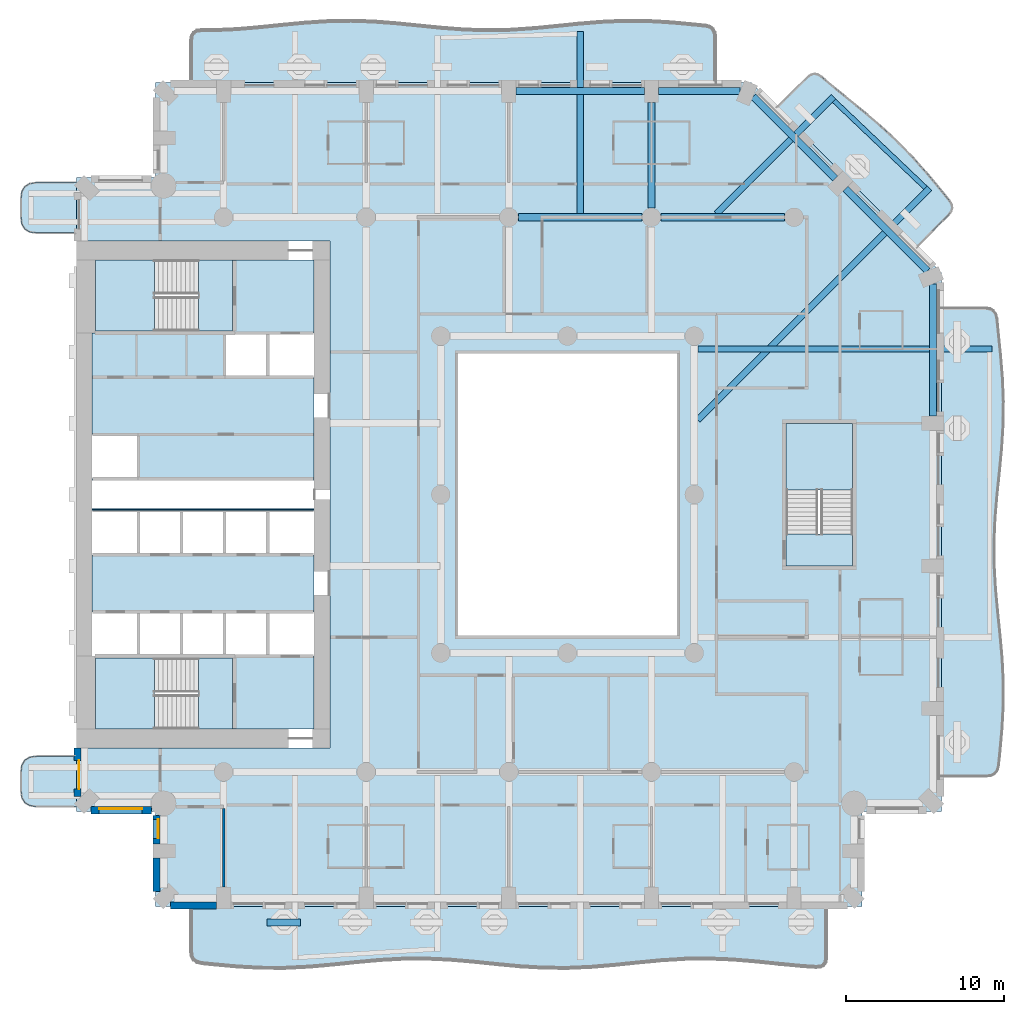
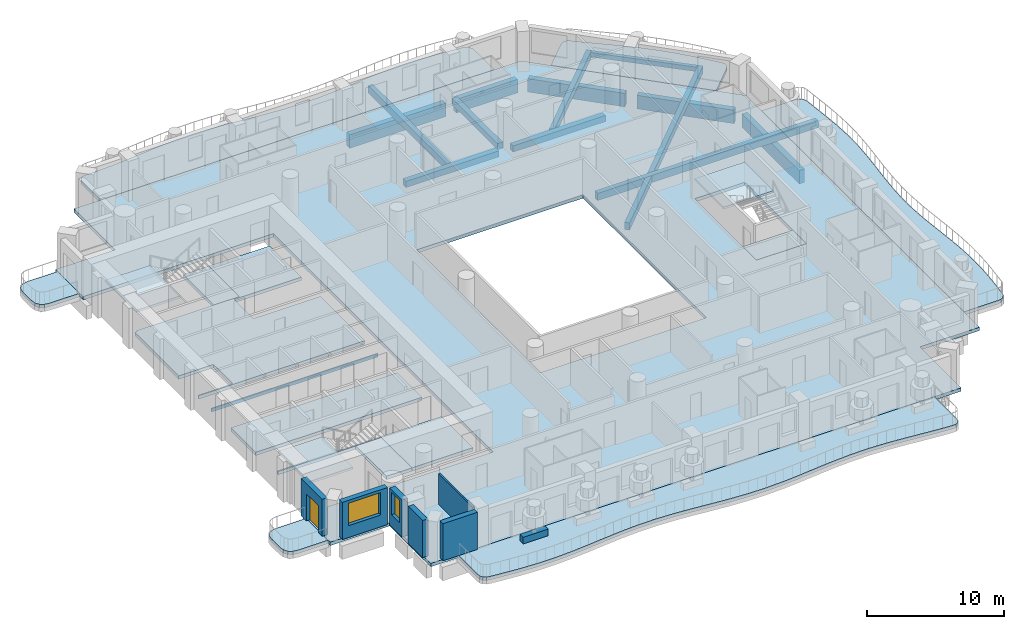
# One storey, part 2 of 19: 17 slabs, 13 beams, 7 walls, 2 windows, 1 door, 3 openings, 3 elements without a shape of their own.
"""IFC4 building model written with IfcOpenShell, lengths in metres."""

from ifc_helpers import new_model, si_unit, direction, frame, frame_2d, origin, origin_2d, place, context, subcontext, project, spatial, polyline, rectangle, outline, extrude, material, layer, layer_set, material_profile, profile_set, type_object, element, fill, aggregate, save


model = new_model("IFC4")

# Units and contexts
model_context = context("Model", 3, precision=1e-05, world=origin(), true_north=direction((0.0, 1.0)))
body_context = subcontext(model_context, "Body", "Model", "MODEL_VIEW")
ifc_project = project(units=[si_unit("LENGTHUNIT", "METRE"), si_unit("AREAUNIT", "SQUARE_METRE"), si_unit("VOLUMEUNIT", "CUBIC_METRE"), si_unit("PLANEANGLEUNIT", "RADIAN"), si_unit("MASSUNIT", "GRAM", prefix="KILO")], contexts=[model_context])

# Site, building, storey
site_placement = place(None, origin())
site = spatial("IfcSite", under=ifc_project, at=site_placement, CompositionType="ELEMENT")
building_placement = place(site_placement, origin())
building = spatial("IfcBuilding", under=site, at=building_placement, Name="Cypress Arch Tower", CompositionType="ELEMENT")
storey_placement = place(building_placement, frame((0.0, 0.0, 69.89990234375)))
storey = spatial("IfcBuildingStorey", under=building, at=storey_placement, Name="L11", CompositionType="ELEMENT", Elevation=69.89990234375)

# Beams
ifc_material_1 = material(Name="Concrete C50/60", Category="concrete")
ifc_material_profile_1 = material_profile(ifc_material_1, rectangle(XDim=0.300048828125, YDim=0.39990234375, at=origin_2d()), Name="RC 300x400")
ifc_profile_set_1 = profile_set([ifc_material_profile_1], Name="Concrete C50/60")
beam_type_1 = type_object("IfcBeamType", Name="Balcony edge beam RC 300x400 Concrete C50/60", PredefinedType="BEAM", material=ifc_profile_set_1)
beam_1_placement = place(storey_placement, frame((23.591064453125, 19.36181640625, -0.5), z_axis=(-0.724231246865, 0.689557177517, 0.0), x_axis=(-0.689557177517, -0.724231246865, 0.0)))
element("IfcBeam", 1, at=beam_1_placement, inside=storey, type_object=beam_type_1, Name="Balcony edge beam L11 A07", PredefinedType="BEAM", context=body_context, shape_type="SweptSolid", body=[
    extrude(rectangle(XDim=0.300048828125, YDim=0.39990234375, at=origin_2d()), origin(), (0.0, 0.0, 1.0), 7.96337890625),
])
ifc_material_2 = material(Name="Concrete C50/60", Category="concrete")
ifc_material_profile_2 = material_profile(ifc_material_2, rectangle(XDim=0.39990234375, YDim=0.64990234375, at=origin_2d()), Name="RC 400x650")
ifc_profile_set_2 = profile_set([ifc_material_profile_2], Name="Concrete C50/60")
beam_type_2 = type_object("IfcBeamType", Name="Cantilever beam RC 400x650 Concrete C50/60", PredefinedType="BEAM", material=ifc_profile_set_2)
beam_2_placement = place(storey_placement, frame((9.22509765625, 9.18798828125, -0.625), z_axis=(1.0, 0.0, 0.0), x_axis=(0.0, 1.0, 0.0)))
element("IfcBeam", 2, at=beam_2_placement, inside=storey, type_object=beam_type_2, Name="Cantilever beam L11 A06 2", PredefinedType="BEAM", context=body_context, shape_type="SweptSolid", body=[
    extrude(rectangle(XDim=0.39990234375, YDim=0.64990234375, at=origin_2d()), origin(), (0.0, 0.0, 1.0), 18.557373046875),
])
beam_3_placement = place(storey_placement, frame((9.22509765625, 4.712890625, -0.625), z_axis=(0.707106781187, 0.707106781187, 0.0), x_axis=(-0.707106781187, 0.707106781187, 0.0)))
element("IfcBeam", 3, at=beam_3_placement, inside=storey, type_object=beam_type_2, Name="Cantilever beam L11 A07 1", PredefinedType="BEAM", context=body_context, shape_type="SweptSolid", body=[
    extrude(rectangle(XDim=0.39990234375, YDim=0.64990234375, at=origin_2d()), origin(), (0.0, 0.0, 1.0), 20.666748046875),
])
beam_4_placement = place(storey_placement, frame((10.412841796875, 17.72509765625, -0.625), z_axis=(0.707118484087, 0.707095078093, 0.0), x_axis=(-0.707095078093, 0.707118484087, 0.0)))
element("IfcBeam", 4, at=beam_4_placement, inside=storey, type_object=beam_type_2, Name="Cantilever beam L11 A07 2", PredefinedType="BEAM", context=body_context, shape_type="SweptSolid", body=[
    extrude(rectangle(XDim=0.39990234375, YDim=0.64990234375, at=origin_2d()), origin(), (0.0, 0.0, 1.0), 10.4306640625),
])
beam_5_placement = place(storey_placement, frame((1.800048828125, 17.72509765625, -0.625), z_axis=(0.0, 1.0, 0.0), x_axis=(-1.0, 0.0, 0.0)))
element("IfcBeam", 5, at=beam_5_placement, inside=storey, type_object=beam_type_2, Name="Cantilever beam L11 A08 1", PredefinedType="BEAM", context=body_context, shape_type="SweptSolid", body=[
    extrude(rectangle(XDim=0.39990234375, YDim=0.64990234375, at=origin_2d()), origin(), (0.0, 0.0, 1.0), 11.495849609375),
])
ifc_material_3 = material(Name="Concrete C50/60", Category="concrete")
ifc_material_profile_3 = material_profile(ifc_material_3, rectangle(XDim=0.449951171875, YDim=0.550048828125, at=origin_2d()), Name="RC 450x550")
ifc_profile_set_3 = profile_set([ifc_material_profile_3], Name="Concrete C50/60")
beam_type_3 = type_object("IfcBeamType", Name="Floor beam RC 450x550 Concrete C50/60", PredefinedType="BEAM", material=ifc_profile_set_3)
for number, where, z_axis, x_axis, name in (
    (6, (-2.10009765625, 17.5, -0.574951171875), (1.0, 0.0, 0.0), (0.0, 1.0, 0.0), "Floor beam L11 FB017"),
    (7, (6.89990234375, 17.5, -0.574951171875), (1.0, 0.0, 0.0), (0.0, 1.0, 0.0), "Floor beam L11 FB018"),
):
    element("IfcBeam", number, at=place(storey_placement, frame(where, z_axis=z_axis, x_axis=x_axis)), inside=storey, type_object=beam_type_3, Name=name, PredefinedType="BEAM", context=body_context, shape_type="SweptSolid", body=[
        extrude(rectangle(XDim=0.449951171875, YDim=0.550048828125, at=origin_2d()), origin(), (0.0, 0.0, 1.0), 7.800048828125),
    ])
beam_6_placement = place(storey_placement, frame((6.300048828125, 18.10009765625, -0.574951171875), z_axis=(0.0, 1.0, 0.0), x_axis=(-1.0, 0.0, 0.0)))
element("IfcBeam", 8, at=beam_6_placement, inside=storey, type_object=beam_type_3, Name="Floor beam L11 FB033", PredefinedType="BEAM", context=body_context, shape_type="SweptSolid", body=[
    extrude(rectangle(XDim=0.449951171875, YDim=0.550048828125, at=origin_2d()), origin(), (0.0, 0.0, 1.0), 6.64990234375),
])
ifc_material_4 = material(Name="Concrete C50/60", Category="concrete")
ifc_material_profile_4 = material_profile(ifc_material_4, rectangle(XDim=0.449951171875, YDim=1.199951171875, at=origin_2d()), Name="RC 450x1200")
ifc_profile_set_4 = profile_set([ifc_material_profile_4], Name="Concrete C50/60")
beam_type_4 = type_object("IfcBeamType", Name="Spandrel beam RC 450x1200 Concrete C50/60", PredefinedType="SPANDREL", material=ifc_profile_set_4)
beam_7_placement = place(storey_placement, frame((24.074951171875, 4.949951171875, -1.5498046875), z_axis=(0.0, 1.0, 0.0), x_axis=(-1.0, 0.0, 0.0)))
element("IfcBeam", 9, at=beam_7_placement, inside=storey, type_object=beam_type_4, Name="Spandrel beam L11 BA06-3", PredefinedType="SPANDREL", context=body_context, shape_type="SweptSolid", body=[
    extrude(rectangle(XDim=0.449951171875, YDim=1.199951171875, at=origin_2d()), origin(), (0.0, 0.0, 1.0), 8.345458984375),
])
for number, where, z_axis, x_axis, name in (
    (10, (23.73046875, 14.126953125, -1.5498046875), (-0.707106781187, 0.707106781187, 0.0), (-0.707106781187, -0.707106781187, 0.0), "Spandrel beam L11 BA07-0"),
    (11, (17.91064453125, 19.947021484375, -1.5498046875), (-0.707106781187, 0.707106781187, 0.0), (-0.707106781187, -0.707106781187, 0.0), "Spandrel beam L11 BA07-1"),
):
    element("IfcBeam", number, at=place(storey_placement, frame(where, z_axis=z_axis, x_axis=x_axis)), inside=storey, type_object=beam_type_4, Name=name, PredefinedType="SPANDREL", context=body_context, shape_type="SweptSolid", body=[
        extrude(rectangle(XDim=0.449951171875, YDim=1.199951171875, at=origin_2d()), origin(), (0.0, 0.0, 1.0), 7.330810546875),
    ])
beam_8_placement = place(storey_placement, frame((11.8955078125, 25.47509765625, -1.5498046875), z_axis=(-1.0, 0.0, 0.0), x_axis=(0.0, -1.0, 0.0)))
element("IfcBeam", 12, at=beam_8_placement, inside=storey, type_object=beam_type_4, Name="Spandrel beam L11 BA08-0", PredefinedType="SPANDREL", context=body_context, shape_type="SweptSolid", body=[
    extrude(rectangle(XDim=0.449951171875, YDim=1.199951171875, at=origin_2d()), origin(), (0.0, 0.0, 1.0), 5.1455078125),
])
beam_9_placement = place(storey_placement, frame((5.85009765625, 25.47509765625, -1.5498046875), z_axis=(-1.0, 0.0, 0.0), x_axis=(0.0, -1.0, 0.0)))
element("IfcBeam", 13, at=beam_9_placement, inside=storey, type_object=beam_type_4, Name="Spandrel beam L11 BA08-1", PredefinedType="SPANDREL", context=body_context, shape_type="SweptSolid", body=[
    extrude(rectangle(XDim=0.449951171875, YDim=1.199951171875, at=origin_2d()), origin(), (0.0, 0.0, 1.0), 8.10009765625),
])

# Slabs
ifc_material_5 = material(Name="Concrete C40/50", Category="concrete")
ifc_layer_1 = layer(ifc_material_5, 0.300048828125)
ifc_layer_set_1 = layer_set([ifc_layer_1], Name="Balcony slab BS300")
slab_type_1 = type_object("IfcSlabType", Name="Balcony slab BS300", PredefinedType="USERDEFINED", material=ifc_layer_set_1)
slab_1_placement = place(storey_placement, frame((0.0, 0.0, -0.2998046875)))
element("IfcSlab", 14, at=slab_1_placement, inside=storey, type_object=slab_type_1, Name="Balcony slab L11-A00W0", ObjectType="BALCONY SLAB", PredefinedType="USERDEFINED", context=body_context, shape_type="SweptSolid", body=[
    extrude(outline(polyline([(-30.0, 19.699951171875), (-32.5, 19.699951171875), (-32.9375, 19.637451171875), (-33.25, 19.449951171875), (-33.4375, 19.137451171875), (-33.5, 18.699951171875), (-33.5, 17.5), (-33.4375, 17.0625), (-33.25, 16.75), (-32.9375, 16.5625), (-32.5, 16.5), (-30.0, 16.5), (-30.0, 19.699951171875)])), origin(), (0.0, 0.0, 1.0), 0.2998046875),
])
slab_2_placement = place(storey_placement, frame((0.0, 0.0, -0.2998046875)))
element("IfcSlab", 15, at=slab_2_placement, inside=storey, type_object=slab_type_1, Name="Balcony slab L11-A00W1", ObjectType="BALCONY SLAB", PredefinedType="USERDEFINED", context=body_context, shape_type="SweptSolid", body=[
    extrude(outline(polyline([(-30.0, -16.5), (-32.5, -16.5), (-32.9375, -16.5625), (-33.25, -16.75), (-33.4375, -17.0625), (-33.5, -17.5), (-33.5, -18.699951171875), (-33.4375, -19.137451171875), (-33.25, -19.449951171875), (-32.9375, -19.637451171875), (-32.5, -19.699951171875), (-30.0, -19.699951171875), (-30.0, -16.5)])), origin(), (0.0, 0.0, 1.0), 0.2998046875),
])
slab_3_placement = place(storey_placement, frame((0.0, 0.0, -0.2998046875)))
element("IfcSlab", 16, at=slab_3_placement, inside=storey, type_object=slab_type_1, Name="Balcony slab L11-A03", ObjectType="BALCONY SLAB", PredefinedType="USERDEFINED", context=body_context, shape_type="SweptSolid", body=[
    extrude(outline(polyline([(-22.75, -26.0), (-22.75, -28.850341796875), (-22.708251953125, -29.148681640625), (-22.5830078125, -29.37158203125), (-22.3740234375, -29.519287109375), (-22.081787109375, -29.591552734375), (-21.264892578125, -29.676025390625), (-19.779541015625, -29.809814453125), (-18.29443359375, -29.888427734375), (-16.809326171875, -29.891357421875), (-15.323974609375, -29.817626953125), (-13.8388671875, -29.6865234375), (-12.353759765625, -29.532958984375), (-10.868408203125, -29.396728515625), (-9.38330078125, -29.314208984375), (-7.898193359375, -29.306640625), (-6.412841796875, -29.376220703125), (-4.927734375, -29.504638671875), (-3.442626953125, -29.657958984375), (-1.95751953125, -29.796142578125), (-0.47216796875, -29.8828125), (1.012939453125, -29.895263671875), (2.498046875, -29.829833984375), (3.9833984375, -29.704345703125), (5.468505859375, -29.55126953125), (6.95361328125, -29.410888671875), (8.43896484375, -29.3203125), (9.924072265625, -29.30322265625), (11.4091796875, -29.3642578125), (12.89453125, -29.487060546875), (14.379638671875, -29.6396484375), (15.86474609375, -29.78173828125), (16.681640625, -29.833740234375), (16.97412109375, -29.810302734375), (17.182861328125, -29.697998046875), (17.308349609375, -29.496826171875), (17.35009765625, -29.20654296875), (17.35009765625, -26.0), (-22.75, -26.0)])), origin(), (0.0, 0.0, 1.0), 0.2998046875),
])
slab_4_placement = place(storey_placement, frame((0.0, 0.0, -0.2998046875)))
element("IfcSlab", 17, at=slab_4_placement, inside=storey, type_object=slab_type_1, Name="Balcony slab L11-A06", ObjectType="BALCONY SLAB", PredefinedType="USERDEFINED", context=body_context, shape_type="SweptSolid", body=[
    extrude(outline(polyline([(24.60009765625, -17.75), (27.455078125, -17.75), (27.751220703125, -17.70849609375), (27.97265625, -17.583984375), (28.119384765625, -17.376708984375), (28.191162109375, -17.086181640625), (28.275146484375, -16.27490234375), (28.408447265625, -14.800048828125), (28.487548828125, -13.324951171875), (28.492431640625, -11.85009765625), (28.421142578125, -10.375), (28.292724609375, -8.89990234375), (28.14013671875, -7.425048828125), (28.003173828125, -5.949951171875), (27.917236328125, -4.47509765625), (27.904541015625, -3.0), (27.968505859375, -1.52490234375), (28.092529296875, -0.050048828125), (28.244384765625, 1.425048828125), (28.384765625, 2.89990234375), (28.47705078125, 4.375), (28.497802734375, 5.85009765625), (28.441162109375, 7.324951171875), (28.322021484375, 8.800048828125), (28.171142578125, 10.27490234375), (28.092529296875, 11.086181640625), (28.0224609375, 11.376708984375), (27.87744140625, 11.583984375), (27.65673828125, 11.70849609375), (27.361083984375, 11.75), (24.60009765625, 11.75), (24.60009765625, -17.75)])), origin(), (0.0, 0.0, 1.0), 0.2998046875),
])
slab_5_placement = place(storey_placement, frame((0.0, 0.0, -0.2998046875)))
element("IfcSlab", 18, at=slab_5_placement, inside=storey, type_object=slab_type_1, Name="Balcony slab L11-A07", ObjectType="BALCONY SLAB", PredefinedType="USERDEFINED", context=body_context, shape_type="SweptSolid", body=[
    extrude(outline(polyline([(23.009033203125, 15.591064453125), (25.056396484375, 17.638427734375), (25.2255859375, 17.86279296875), (25.2900390625, 18.092529296875), (25.249755859375, 18.32763671875), (25.1044921875, 18.568359375), (24.62158203125, 19.1630859375), (23.732666015625, 20.233642578125), (22.81201171875, 21.272705078125), (21.846435546875, 22.266845703125), (20.83251953125, 23.212158203125), (19.77783203125, 24.1171875), (18.699951171875, 24.998779296875), (17.62109375, 25.87939453125), (17.039794921875, 26.3759765625), (16.803955078125, 26.52587890625), (16.572509765625, 26.570068359375), (16.344970703125, 26.5078125), (16.121826171875, 26.33984375), (14.19091796875, 24.408935546875), (23.009033203125, 15.591064453125)])), origin(), (0.0, 0.0, 1.0), 0.2998046875),
])
slab_6_placement = place(storey_placement, frame((0.0, 0.0, -0.2998046875)))
element("IfcSlab", 19, at=slab_6_placement, inside=storey, type_object=slab_type_1, Name="Balcony slab L11-A08", ObjectType="BALCONY SLAB", PredefinedType="USERDEFINED", context=body_context, shape_type="SweptSolid", body=[
    extrude(outline(polyline([(10.35009765625, 26.0), (10.35009765625, 28.871337890625), (10.3095703125, 29.160400390625), (10.18798828125, 29.37646484375), (9.98583984375, 29.519287109375), (9.702392578125, 29.58935546875), (8.910888671875, 29.67138671875), (7.4716796875, 29.802978515625), (6.03271484375, 29.88427734375), (4.593505859375, 29.895263671875), (3.154296875, 29.83349609375), (1.71533203125, 29.7138671875), (0.276123046875, 29.566162109375), (-1.1630859375, 29.4267578125), (-2.602294921875, 29.330322265625), (-4.041259765625, 29.30029296875), (-5.48046875, 29.344482421875), (-6.919677734375, 29.45166015625), (-8.358642578125, 29.595703125), (-9.7978515625, 29.74072265625), (-11.237060546875, 29.850830078125), (-12.676025390625, 29.899169921875), (-14.115234375, 29.873291015625), (-15.554443359375, 29.7802734375), (-16.993408203125, 29.642333984375), (-18.4326171875, 29.494140625), (-19.871826171875, 29.3720703125), (-21.310791015625, 29.306396484375), (-22.102294921875, 29.31005859375), (-22.3857421875, 29.27099609375), (-22.588134765625, 29.150390625), (-22.70947265625, 28.94873046875), (-22.75, 28.66552734375), (-22.75, 26.0), (10.35009765625, 26.0)])), origin(), (0.0, 0.0, 1.0), 0.2998046875),
])
ifc_material_6 = material(Name="Concrete C40/50", Category="concrete")
ifc_layer_2 = layer(ifc_material_6, 0.300048828125)
ifc_layer_set_2 = layer_set([ifc_layer_2], Name="Core floor CF300")
slab_type_2 = type_object("IfcSlabType", Name="Core floor CF300", PredefinedType="FLOOR", material=ifc_layer_set_2)
slab_7_placement = place(storey_placement, frame((0.0, 0.0, -0.2998046875)))
element("IfcSlab", 20, at=slab_7_placement, inside=storey, type_object=slab_type_2, Name="Core floor", PredefinedType="FLOOR", context=body_context, shape_type="SweptSolid", body=[
    extrude(outline(polyline([(-20.125, -14.800048828125), (-15.0, -14.800048828125), (-15.0, -10.199951171875), (-17.919921875, -10.199951171875), (-20.639892578125, -10.199951171875), (-23.360107421875, -10.199951171875), (-26.080078125, -10.199951171875), (-28.800048828125, -10.199951171875), (-28.800048828125, -10.324951171875), (-22.27490234375, -10.324951171875), (-20.125, -10.324951171875), (-20.125, -14.800048828125)])), origin(), (0.0, 0.0, 1.0), 0.2998046875),
])
slab_8_placement = place(storey_placement, frame((0.0, 0.0, -0.2998046875)))
element("IfcSlab", 21, at=slab_8_placement, inside=storey, type_object=slab_type_2, Name="Core floor", PredefinedType="FLOOR", context=body_context, shape_type="SweptSolid", body=[
    extrude(outline(polyline([(-29.0, -3.800048828125), (-29.0, -7.39990234375), (-26.080078125, -7.39990234375), (-23.360107421875, -7.39990234375), (-20.639892578125, -7.39990234375), (-17.919921875, -7.39990234375), (-15.0, -7.39990234375), (-15.0, -3.800048828125), (-17.919921875, -3.800048828125), (-20.639892578125, -3.800048828125), (-23.360107421875, -3.800048828125), (-26.080078125, -3.800048828125), (-29.0, -3.800048828125)])), origin(), (0.0, 0.0, 1.0), 0.2998046875),
])
slab_9_placement = place(storey_placement, frame((0.0, 0.0, -0.2998046875)))
element("IfcSlab", 22, at=slab_9_placement, inside=storey, type_object=slab_type_2, Name="Core floor", PredefinedType="FLOOR", context=body_context, shape_type="SweptSolid", body=[
    extrude(outline(polyline([(-29.0, 3.800048828125), (-29.0, 10.199951171875), (-28.800048828125, 10.199951171875), (-28.800048828125, 10.324951171875), (-28.60009765625, 10.324951171875), (-22.27490234375, 10.324951171875), (-20.125, 10.324951171875), (-20.125, 14.800048828125), (-15.39990234375, 14.800048828125), (-15.0, 14.800048828125), (-15.0, 10.199951171875), (-15.39990234375, 10.199951171875), (-17.919921875, 10.199951171875), (-20.639892578125, 10.199951171875), (-20.639892578125, 7.39990234375), (-17.919921875, 7.39990234375), (-15.39990234375, 7.39990234375), (-15.0, 7.39990234375), (-15.0, 0.89990234375), (-28.60009765625, 0.89990234375), (-29.0, 0.89990234375), (-29.0, 1.0), (-28.60009765625, 1.0), (-26.080078125, 1.0), (-26.080078125, 3.800048828125), (-28.60009765625, 3.800048828125), (-29.0, 3.800048828125)])), origin(), (0.0, 0.0, 1.0), 0.2998046875),
])
slab_10_placement = place(storey_placement, frame((0.0, 0.0, -0.2998046875)))
element("IfcSlab", 23, at=slab_10_placement, inside=storey, type_object=slab_type_2, Name="Core floor", PredefinedType="FLOOR", context=body_context, shape_type="SweptSolid", body=[
    extrude(outline(polyline([(-22.27490234375, -10.324951171875), (-22.27490234375, -14.800048828125), (-20.125, -14.800048828125), (-20.125, -10.324951171875), (-22.27490234375, -10.324951171875)])), origin(), (0.0, 0.0, 1.0), 0.2998046875),
])
slab_11_placement = place(storey_placement, frame((0.0, 0.0, -0.2998046875)))
element("IfcSlab", 24, at=slab_11_placement, inside=storey, type_object=slab_type_2, Name="Core floor", PredefinedType="FLOOR", context=body_context, shape_type="SweptSolid", body=[
    extrude(outline(polyline([(-20.125, 14.800048828125), (-22.27490234375, 14.800048828125), (-22.27490234375, 10.324951171875), (-20.125, 10.324951171875), (-20.125, 14.800048828125)])), origin(), (0.0, 0.0, 1.0), 0.2998046875),
])
slab_12_placement = place(storey_placement, frame((0.0, 0.0, -0.2998046875)))
element("IfcSlab", 25, at=slab_12_placement, inside=storey, type_object=slab_type_2, Name="Stair floor landing", PredefinedType="FLOOR", context=body_context, shape_type="SweptSolid", body=[
    extrude(outline(polyline([(19.0, -4.5), (19.0, -2.5), (14.800048828125, -2.5), (14.800048828125, -4.5), (19.0, -4.5)])), origin(), (0.0, 0.0, 1.0), 0.2998046875),
])
slab_13_placement = place(storey_placement, frame((0.0, 0.0, -0.2998046875)))
element("IfcSlab", 26, at=slab_13_placement, inside=storey, type_object=slab_type_2, Name="Core floor", PredefinedType="FLOOR", context=body_context, shape_type="SweptSolid", body=[
    extrude(outline(polyline([(-20.639892578125, -1.0), (-23.360107421875, -1.0), (-26.080078125, -1.0), (-28.60009765625, -1.0), (-29.0, -1.0), (-29.0, -0.89990234375), (-28.60009765625, -0.89990234375), (-15.39990234375, -0.89990234375), (-15.0, -0.89990234375), (-15.0, -1.0), (-15.39990234375, -1.0), (-17.919921875, -1.0), (-20.639892578125, -1.0)])), origin(), (0.0, 0.0, 1.0), 0.2998046875),
])
ifc_material_7 = material(Name="Concrete C40/50", Category="concrete")
ifc_layer_3 = layer(ifc_material_7, 0.300048828125)
ifc_layer_set_3 = layer_set([ifc_layer_3], Name="PT flat slab 300 Concrete C40/50")
slab_type_3 = type_object("IfcSlabType", Name="PT flat slab 300 Concrete C40/50", PredefinedType="FLOOR", material=ifc_layer_set_3)
slab_14_placement = place(storey_placement, frame((0.0, 0.0, -0.2998046875)))
element("IfcSlab", 27, at=slab_14_placement, inside=storey, type_object=slab_type_3, Name="Floor slab L11", PredefinedType="FLOOR", context=body_context, shape_type="SweptSolid", body=[
    extrude(outline(polyline([(-30.0, 20.0), (-25.0, 20.0), (-25.0, 26.0), (12.60009765625, 26.0), (24.60009765625, 14.0), (24.60009765625, -20.0), (19.60009765625, -20.0), (19.60009765625, -26.0), (-25.0, -26.0), (-25.0, -20.0), (-30.0, -20.0), (-30.0, -16.0), (-14.0, -16.0), (-14.0, 16.0), (-30.0, 16.0), (-30.0, 20.0)]), holes=[polyline([(-6.0, -9.0), (8.0, -9.0), (8.0, 9.0), (-6.0, 9.0), (-6.0, -9.0)]), polyline([(14.800048828125, -4.5), (19.0, -4.5), (19.0, 4.5), (14.800048828125, 4.5), (14.800048828125, -4.5)])]), origin(), (0.0, 0.0, 1.0), 0.2998046875),
])

# Stair, slab
ifc_material_8 = material(Name="Concrete C40/50", Category="concrete")
stair_type_1 = type_object("IfcStairType", Name="Exit stair ES1636-215", PredefinedType="HALF_TURN_STAIR", material=ifc_material_8)
stair_1_placement = place(storey_placement, origin())
stair_1 = element("IfcStair", 28, at=stair_1_placement, inside=storey, type_object=stair_type_1, Name="L11 Exit stair A", PredefinedType="HALF_TURN_STAIR")
ifc_material_9 = material(Name="Concrete C40/50", Category="concrete")
ifc_layer_4 = layer(ifc_material_9, 0.199951171875)
ifc_layer_set_4 = layer_set([ifc_layer_4], Name="Stair landing SL200")
slab_type_4 = type_object("IfcSlabType", Name="Stair landing SL200", PredefinedType="LANDING", material=ifc_layer_set_4)
slab_15_placement = place(storey_placement, frame((0.0, 0.0, 1.60009765625)))
slab_15 = element("IfcSlab", 29, at=slab_15_placement, type_object=slab_type_4, Name="A landing 1", PredefinedType="LANDING", context=body_context, shape_type="SweptSolid", body=[
    extrude(outline(polyline([(-25.074951171875, -10.324951171875), (-28.800048828125, -10.324951171875), (-28.800048828125, -14.800048828125), (-25.074951171875, -14.800048828125), (-25.074951171875, -10.324951171875)])), origin(), (0.0, 0.0, 1.0), 0.199951171875),
])
aggregate(stair_1, [slab_15])

stair_2_placement = place(storey_placement, origin())
stair_2 = element("IfcStair", 30, at=stair_2_placement, inside=storey, type_object=stair_type_1, Name="L11 Exit stair B", PredefinedType="HALF_TURN_STAIR")
slab_16_placement = place(storey_placement, frame((0.0, 0.0, 1.60009765625)))
slab_16 = element("IfcSlab", 31, at=slab_16_placement, type_object=slab_type_4, Name="B landing 1", PredefinedType="LANDING", context=body_context, shape_type="SweptSolid", body=[
    extrude(outline(polyline([(-25.074951171875, 14.800048828125), (-28.800048828125, 14.800048828125), (-28.800048828125, 10.324951171875), (-25.074951171875, 10.324951171875), (-25.074951171875, 14.800048828125)])), origin(), (0.0, 0.0, 1.0), 0.199951171875),
])
aggregate(stair_2, [slab_16])

ifc_material_10 = material(Name="Concrete C40/50", Category="concrete")
stair_type_2 = type_object("IfcStairType", Name="Exit stair ES1636-200", PredefinedType="HALF_TURN_STAIR", material=ifc_material_10)
stair_3_placement = place(storey_placement, origin())
stair_3 = element("IfcStair", 32, at=stair_3_placement, inside=storey, type_object=stair_type_2, Name="L11 Exit stair C", PredefinedType="HALF_TURN_STAIR")
slab_17_placement = place(storey_placement, frame((0.0, 0.0, 1.60009765625)))
slab_17 = element("IfcSlab", 33, at=slab_17_placement, type_object=slab_type_4, Name="C landing 1", PredefinedType="LANDING", context=body_context, shape_type="SweptSolid", body=[
    extrude(outline(polyline([(19.0, 0.300048828125), (19.0, 4.5), (14.800048828125, 4.5), (14.800048828125, 0.300048828125), (19.0, 0.300048828125)])), origin(), (0.0, 0.0, 1.0), 0.199951171875),
])
aggregate(stair_3, [slab_17])

# Wall
ifc_material_11 = material(Name="Concrete C40/50, waterproofed", Category="concrete")
ifc_layer_5 = layer(ifc_material_11, 0.449951171875)
ifc_layer_set_5 = layer_set([ifc_layer_5], Name="Balcony planter wall PW450")
wall_type_1 = type_object("IfcWallType", Name="Balcony planter wall PW450", PredefinedType="SOLIDWALL", material=ifc_layer_set_5)
wall_1_placement = place(storey_placement, frame((-17.949951171875, -27.0, 0.0), z_axis=(0.0, 0.0, 1.0), x_axis=(1.0, 0.0, 0.0)))
element("IfcWall", 34, at=wall_1_placement, inside=storey, type_object=wall_type_1, Name="Balcony planter wall L11-A03.1", PredefinedType="SOLIDWALL", context=body_context, shape_type="SweptSolid", body=[
    extrude(rectangle(XDim=2.099853515625, YDim=0.449951171875, at=frame_2d((1.0498046875, 0.0))), origin(), (0.0, 0.0, 1.0), 0.60009765625),
])

# Wall, opening, door
ifc_material_12 = material(Name="Brick (red buff blend)", Category="masonry")
ifc_layer_6 = layer(ifc_material_12, 0.449951171875)
ifc_layer_set_6 = layer_set([ifc_layer_6], Name="Brick pier and spandrel wall BW450")
wall_type_2 = type_object("IfcWallType", Name="Brick pier and spandrel wall BW450", PredefinedType="SOLIDWALL", material=ifc_layer_set_6)
wall_2_placement = place(storey_placement, frame((-29.925048828125, -16.0, 0.0), z_axis=(0.0, 0.0, 1.0), x_axis=(0.0, -1.0, 0.0)))
wall_2 = element("IfcWall", 35, at=wall_2_placement, inside=storey, type_object=wall_type_2, Name="Brick wall L11 A00.0.1", PredefinedType="SOLIDWALL", context=body_context, shape_type="SweptSolid", body=[
    extrude(rectangle(XDim=3.063720703125, YDim=0.449951171875, at=frame_2d((1.53173828125, 0.0))), origin(), (0.0, 0.0, 1.0), 3.300048828125),
])
opening_1_placement = place(wall_2_placement, frame((0.78173828125, 0.0, 0.0)))
opening_1 = element("IfcOpeningElement", 36, at=opening_1_placement, cuts=wall_2, Name="Opening D-L11-A00.0.1.9", PredefinedType="OPENING", context=body_context, shape_type="SweptSolid", body=[
    extrude(rectangle(XDim=1.800048828125, YDim=2.39990234375, at=frame_2d((0.89990234375, 1.199951171875))), frame((0.0, 0.23486328125, 0.0), z_axis=(0.0, -1.0, 0.0), x_axis=(1.0, 0.0, 0.0)), (0.0, 0.0, 1.0), 0.469970703125),
])
ifc_material_13 = material(Name="Anodised aluminium, bronze finish, laminated low-emissivity double glazing, large-missile impact rated", Category="aluminium")
door_type = type_object("IfcDoorType", Name="Balcony sliding door 1800x2400", OperationType="SLIDING_TO_LEFT", PredefinedType="DOOR", material=ifc_material_13)
door_placement = place(opening_1_placement, origin())
door = element("IfcDoor", 37, at=door_placement, inside=storey, type_object=door_type, Name="Balcony door L11 A00.0.1.9", OperationType="SLIDING_TO_LEFT", OverallHeight=2.39990234375, OverallWidth=1.800048828125, PredefinedType="DOOR", context=body_context, shape_type="SweptSolid", body=[
    extrude(rectangle(XDim=1.800048828125, YDim=2.39990234375, at=frame_2d((0.89990234375, 1.199951171875))), frame((0.0, 0.1298828125, 0.0), z_axis=(0.0, -1.0, 0.0), x_axis=(1.0, 0.0, 0.0)), (0.0, 0.0, 1.0), 0.050048828125),
])
fill(opening_1, door)

# Wall, opening, window
wall_3_placement = place(storey_placement, frame((-29.063720703125, -19.925048828125, 0.0), z_axis=(0.0, 0.0, 1.0), x_axis=(1.0, 0.0, 0.0)))
wall_3 = element("IfcWall", 38, at=wall_3_placement, inside=storey, type_object=wall_type_2, Name="Brick wall L11 A01.0", PredefinedType="SOLIDWALL", context=body_context, shape_type="SweptSolid", body=[
    extrude(rectangle(XDim=3.80517578125, YDim=0.449951171875, at=frame_2d((1.902587890625, 0.0))), origin(), (0.0, 0.0, 1.0), 3.300048828125),
])
opening_2_placement = place(wall_3_placement, frame((0.513671875, 0.0, 1.050048828125)))
opening_2 = element("IfcOpeningElement", 39, at=opening_2_placement, cuts=wall_3, Name="Opening W270H", PredefinedType="OPENING", context=body_context, shape_type="SweptSolid", body=[
    extrude(rectangle(XDim=2.699951171875, YDim=2.0, at=frame_2d((1.35009765625, 1.0))), frame((0.0, 0.23486328125, 0.0), z_axis=(0.0, -1.0, 0.0), x_axis=(1.0, 0.0, 0.0)), (0.0, 0.0, 1.0), 0.469970703125),
])
ifc_material_14 = material(Name="Anodised aluminium, bronze finish, clear low-emissivity double glazing", Category="aluminium")
window_type_1 = type_object("IfcWindowType", Name="Window Hotel 2700x2000", PartitioningType="SINGLE_PANEL", PredefinedType="WINDOW", material=ifc_material_14)
window_1_placement = place(opening_2_placement, origin())
window_1 = element("IfcWindow", 40, at=window_1_placement, inside=storey, type_object=window_type_1, Name="Window L11 A01.0.1", OverallHeight=2.0, OverallWidth=2.699951171875, PartitioningType="SINGLE_PANEL", PredefinedType="WINDOW", context=body_context, shape_type="SweptSolid", body=[
    extrude(rectangle(XDim=2.699951171875, YDim=2.0, at=frame_2d((1.35009765625, 1.0))), frame((0.0, 0.135009765625, 0.0), z_axis=(0.0, -1.0, 0.0), x_axis=(1.0, 0.0, 0.0)), (0.0, 0.0, 1.0), 0.06005859375),
])
fill(opening_2, window_1)

wall_4_placement = place(storey_placement, frame((-24.925048828125, -20.258544921875, 0.0), z_axis=(0.0, 0.0, 1.0), x_axis=(0.0, -1.0, 0.0)))
wall_4 = element("IfcWall", 41, at=wall_4_placement, inside=storey, type_object=wall_type_2, Name="Brick wall L11 A02.0", PredefinedType="SOLIDWALL", context=body_context, shape_type="SweptSolid", body=[
    extrude(rectangle(XDim=1.79150390625, YDim=0.449951171875, at=frame_2d((0.895751953125, 0.0))), origin(), (0.0, 0.0, 1.0), 3.300048828125),
])
opening_3_placement = place(wall_4_placement, frame((0.241455078125, 0.0, 1.050048828125)))
opening_3 = element("IfcOpeningElement", 42, at=opening_3_placement, cuts=wall_4, Name="Opening W120H", PredefinedType="OPENING", context=body_context, shape_type="SweptSolid", body=[
    extrude(rectangle(XDim=1.199951171875, YDim=2.0, at=frame_2d((0.60009765625, 1.0))), frame((0.0, 0.23486328125, 0.0), z_axis=(0.0, -1.0, 0.0), x_axis=(1.0, 0.0, 0.0)), (0.0, 0.0, 1.0), 0.469970703125),
])
ifc_material_15 = material(Name="Anodised aluminium, bronze finish, clear low-emissivity double glazing", Category="aluminium")
window_type_2 = type_object("IfcWindowType", Name="Window Hotel 1200x2000", PartitioningType="SINGLE_PANEL", PredefinedType="WINDOW", material=ifc_material_15)
window_2_placement = place(opening_3_placement, origin())
window_2 = element("IfcWindow", 43, at=window_2_placement, inside=storey, type_object=window_type_2, Name="Window L11 A02.0.1", OverallHeight=2.0, OverallWidth=1.199951171875, PartitioningType="SINGLE_PANEL", PredefinedType="WINDOW", context=body_context, shape_type="SweptSolid", body=[
    extrude(rectangle(XDim=1.199951171875, YDim=2.0, at=frame_2d((0.60009765625, 1.0))), frame((0.0, 0.135009765625, 0.0), z_axis=(0.0, -1.0, 0.0), x_axis=(1.0, 0.0, 0.0)), (0.0, 0.0, 1.0), 0.06005859375),
])
fill(opening_3, window_2)

# Walls
wall_5_placement = place(storey_placement, frame((-24.925048828125, -22.949951171875, 0.0), z_axis=(0.0, 0.0, 1.0), x_axis=(0.0, -1.0, 0.0)))
element("IfcWall", 44, at=wall_5_placement, inside=storey, type_object=wall_type_2, Name="Brick wall L11 A02.1", PredefinedType="SOLIDWALL", context=body_context, shape_type="SweptSolid", body=[
    extrude(rectangle(XDim=2.11376953125, YDim=0.449951171875, at=frame_2d((1.056884765625, 0.0))), origin(), (0.0, 0.0, 1.0), 3.300048828125),
])
wall_6_placement = place(storey_placement, frame((-24.063720703125, -25.925048828125, 0.0), z_axis=(0.0, 0.0, 1.0), x_axis=(1.0, 0.0, 0.0)))
element("IfcWall", 45, at=wall_6_placement, inside=storey, type_object=wall_type_2, Name="Brick wall L11 A03.0", PredefinedType="SOLIDWALL", context=body_context, shape_type="SweptSolid", body=[
    extrude(rectangle(XDim=2.913818359375, YDim=0.449951171875, at=frame_2d((1.45703125, 0.0))), origin(), (0.0, 0.0, 1.0), 3.300048828125),
])
ifc_material_16 = material(Name="Blockwork, plastered both sides", Category="masonry")
ifc_layer_7 = layer(ifc_material_16, 0.14990234375)
ifc_layer_set_7 = layer_set([ifc_layer_7], Name="Partition PW150")
wall_type_3 = type_object("IfcWallType", Name="Partition PW150", PredefinedType="PARTITIONING", material=ifc_layer_set_7)
wall_7_placement = place(storey_placement, frame((-20.699951171875, -24.75, 0.0), z_axis=(0.0, 0.0, 1.0), x_axis=(0.0, 1.0, 0.0)))
element("IfcWall", 46, at=wall_7_placement, inside=storey, type_object=wall_type_3, Name="Partition", PredefinedType="PARTITIONING", context=body_context, shape_type="SweptSolid", body=[
    extrude(rectangle(XDim=4.949951171875, YDim=0.14990234375, at=frame_2d((2.47509765625, 0.0))), origin(), (0.0, 0.0, 1.0), 2.75),
])

save(model, "model.ifc")
